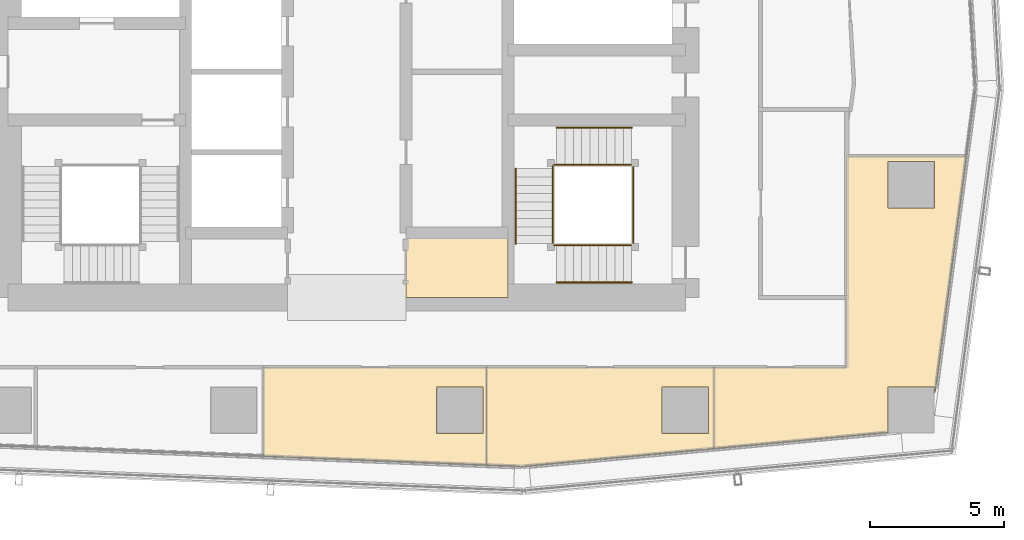
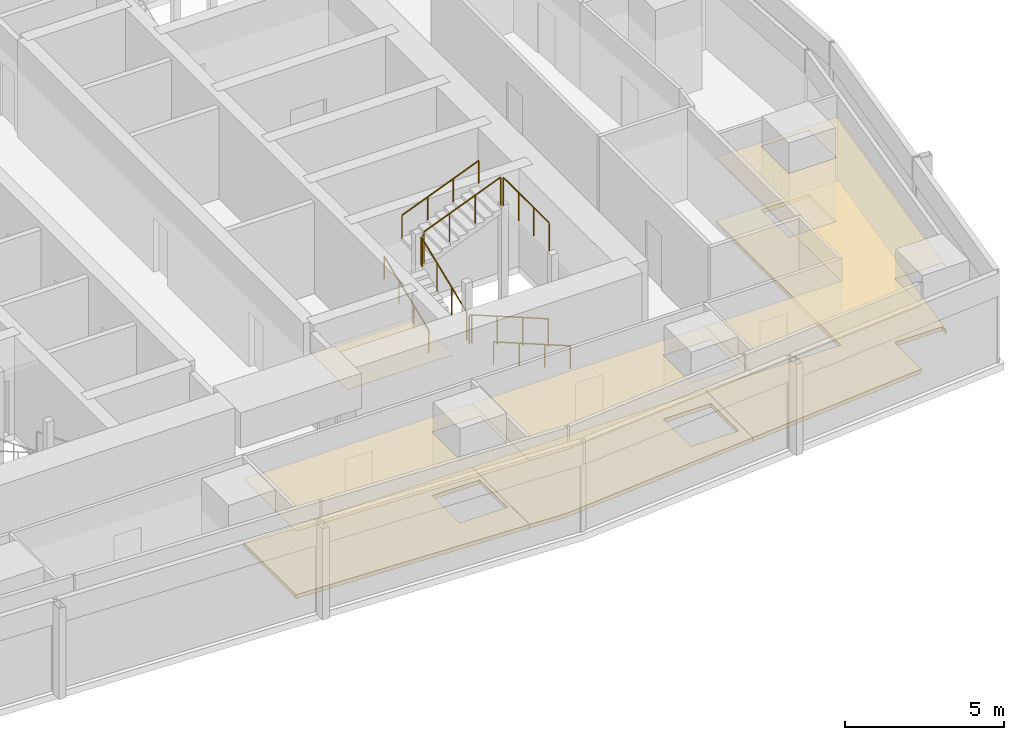
# One storey, part 36 of 39: 10 railings, 7 coverings.
"""IFC4 building model written with IfcOpenShell, lengths in metres."""

import ifcopenshell
import ifcopenshell.guid

model = None  # the IFC model being written
_history = None  # IfcOwnerHistory: only IFC2X3 demands one
_inside = {}  # id of a spatial element -> (the spatial element, [elements in it])
_under = {}  # id of a project, library or spatial element -> (it, [spatial elements below it])
_declared = {}  # id of a project -> (the project, [libraries it declares])
_typed = {}  # id of a type object -> (the type object, [elements of that type])
_made_of = {}  # id of a material, layer set ... -> (it, [elements and type objects made of it])


def new_model(schema):
    """Start an empty IFC model of exactly this schema.

    Asked for "IFC4X3", IfcOpenShell would pick the latest addendum, in which some entities
    have other attributes; the version numbers below select the first issue.
    IFC2X3 requires an IfcOwnerHistory on every rooted entity: one is made here for all.
    """
    global model, _history
    if schema == "IFC4X3":
        model = ifcopenshell.file(schema_version=(4, 3, 0, 0))
    else:
        model = ifcopenshell.file(schema=schema)
    _inside.clear()
    _under.clear()
    _declared.clear()
    _typed.clear()
    _made_of.clear()
    _history = None
    if model.schema == "IFC2X3":
        org = make("IfcOrganization", Name="unknown")
        user = make(
            "IfcPersonAndOrganization",
            ThePerson=make("IfcPerson", FamilyName="unknown"),
            TheOrganization=org,
        )
        app = make(
            "IfcApplication",
            ApplicationDeveloper=org,
            Version="unknown",
            ApplicationFullName="unknown",
            ApplicationIdentifier="unknown",
        )
        _history = make(
            "IfcOwnerHistory",
            OwningUser=user,
            OwningApplication=app,
            ChangeAction="ADDED",
            CreationDate=0,
        )
    return model


def make(cls, **values):
    """One entity of the class cls with the attributes given. An attribute that is None is left unset."""
    return model.create_entity(
        cls, **{name: value for name, value in values.items() if value is not None}
    )


def rooted(cls, **values):
    """An entity with a GlobalId (a new one), such as an element, a storey or a relation."""
    return make(cls, GlobalId=ifcopenshell.guid.new(), OwnerHistory=_history, **values)


def si_unit(unit_type, name, prefix=None):
    """IfcSIUnit, for example si_unit("LENGTHUNIT", "METRE", prefix="MILLI")."""
    return make("IfcSIUnit", UnitType=unit_type, Prefix=prefix, Name=name)


def assignment(units):
    """IfcUnitAssignment: the units of a project."""
    return None if units is None else make("IfcUnitAssignment", Units=units)


def point(xyz):
    """IfcCartesianPoint."""
    return None if xyz is None else make("IfcCartesianPoint", Coordinates=xyz)


def direction(xyz):
    """IfcDirection."""
    return None if xyz is None else make("IfcDirection", DirectionRatios=xyz)


def frame(location, z_axis=None, x_axis=None):
    """IfcAxis2Placement3D, a coordinate frame: its origin and axes. An axis left out is left unset."""
    return make(
        "IfcAxis2Placement3D",
        Location=point(location),
        Axis=direction(z_axis),
        RefDirection=direction(x_axis),
    )


def frame_2d(location, x_axis=None):
    """IfcAxis2Placement2D, a coordinate frame in the plane: its origin and x axis."""
    return make(
        "IfcAxis2Placement2D", Location=point(location), RefDirection=direction(x_axis)
    )


def origin():
    """The frame at (0, 0, 0) with its axes left unset."""
    return frame((0.0, 0.0, 0.0))


def origin_2d():
    """The frame at (0, 0) in the plane with its x axis left unset."""
    return frame_2d((0.0, 0.0))


def place(relative_to, where):
    """IfcLocalPlacement: puts the frame where relative to a parent placement (None: the world)."""
    return make(
        "IfcLocalPlacement", PlacementRelTo=relative_to, RelativePlacement=where
    )


def context(
    kind, dimensions, precision=None, world=None, true_north=None, identifier=None
):
    """IfcGeometricRepresentationContext, for example the 3D "Model" context."""
    return make(
        "IfcGeometricRepresentationContext",
        ContextIdentifier=identifier,
        ContextType=kind,
        CoordinateSpaceDimension=dimensions,
        Precision=precision,
        WorldCoordinateSystem=world,
        TrueNorth=true_north,
    )


def subcontext(parent, identifier, kind, view, scale=None):
    """IfcGeometricRepresentationSubContext, for example "Body" below "Model"."""
    return make(
        "IfcGeometricRepresentationSubContext",
        ContextIdentifier=identifier,
        ContextType=kind,
        ParentContext=parent,
        TargetScale=scale,
        TargetView=view,
    )


def project(units=None, contexts=None):
    """IfcProject with its units and contexts."""
    return rooted(
        "IfcProject",
        Name="project",
        RepresentationContexts=contexts,
        UnitsInContext=assignment(units),
    )


def spatial(cls, under=None, at=None, **own):
    """A site, building, storey or space (cls), placed at a placement, below another one or the project."""
    s = rooted(cls, ObjectPlacement=at, **own)
    if under is not None:
        _under.setdefault(under.id(), (under, []))[1].append(s)
    return s


def polyline(points):
    """IfcPolyline through the points."""
    return make("IfcPolyline", Points=[point(p) for p in points])


def profile(cls, at=None, kind="AREA", **sizes):
    """A parametric profile (cls). Its sizes go by their IFC names, for example OverallWidth=200.0."""
    return make(cls, ProfileType=kind, Position=at, **sizes)


def circle(**sizes):
    """IfcCircleProfileDef."""
    return profile("IfcCircleProfileDef", **sizes)


def outline(outer, holes=None, kind="AREA"):
    """IfcArbitraryClosedProfileDef: a profile drawn as a closed curve; with holes, ...WithVoids."""
    if holes is None:
        return make("IfcArbitraryClosedProfileDef", ProfileType=kind, OuterCurve=outer)
    return make(
        "IfcArbitraryProfileDefWithVoids",
        ProfileType=kind,
        OuterCurve=outer,
        InnerCurves=holes,
    )


def extrude(swept, where, along, depth):
    """IfcExtrudedAreaSolid: the profile swept, set in the frame where, extruded along a direction by depth."""
    return make(
        "IfcExtrudedAreaSolid",
        SweptArea=swept,
        Position=where,
        ExtrudedDirection=direction(along),
        Depth=depth,
    )


def shape(context_of_items, identifier, shape_type, items):
    """IfcShapeRepresentation: the items that make up one representation, for example the "Body"."""
    return make(
        "IfcShapeRepresentation",
        ContextOfItems=context_of_items,
        RepresentationIdentifier=identifier,
        RepresentationType=shape_type,
        Items=items,
    )


def material(Name=None, Category=None):
    """IfcMaterial."""
    return make("IfcMaterial", Name=Name, Category=Category)


def layer(
    of_material, thickness, ventilated=None, Name=None, Category=None, Priority=None
):
    """IfcMaterialLayer: one layer of a wall or slab, of a material (None: an air gap)."""
    return make(
        "IfcMaterialLayer",
        Material=of_material,
        LayerThickness=thickness,
        IsVentilated=ventilated,
        Name=Name,
        Category=Category,
        Priority=Priority,
    )


def layer_set(layers, Name=None):
    """IfcMaterialLayerSet."""
    return make("IfcMaterialLayerSet", MaterialLayers=layers, LayerSetName=Name)


def made_of(thing, what):
    """Note that an element or type object is made of a material, layer set ...; save() writes the relation."""
    if what is not None:
        _made_of.setdefault(what.id(), (what, []))[1].append(thing)
    return thing


def type_object(cls, material=None, **own):
    """A type object (cls), such as IfcWallType, which elements share."""
    return made_of(rooted(cls, **own), material)


def element(
    cls,
    number,
    at=None,
    inside=None,
    cuts=None,
    type_object=None,
    material=None,
    context=None,
    identifier="Body",
    shape_type=None,
    held_by="IfcProductDefinitionShape",
    body=None,
    shapes=None,
    **own,
):
    """One element of the class cls, such as IfcWall. Its Tag is "e" and its number.

    at: its placement. inside: the storey or other place that contains it. cuts: it is an
    opening in that element (IfcRelVoidsElement). A single representation is given by context,
    identifier, shape_type and body (its items); several are given by shapes. held_by: the class
    of the entity that holds the representations. save() writes the other relations.
    """
    e = rooted(cls, Tag="e%d" % number, ObjectPlacement=at, **own)
    if body is not None:
        shapes = [shape(context, identifier, shape_type, body)]
    if shapes is not None:
        e.Representation = make(held_by, Representations=shapes)
    if inside is not None:
        _inside.setdefault(inside.id(), (inside, []))[1].append(e)
    if cuts is not None:
        rooted(
            "IfcRelVoidsElement", RelatingBuildingElement=cuts, RelatedOpeningElement=e
        )
    if type_object is not None:
        _typed.setdefault(type_object.id(), (type_object, []))[1].append(e)
    return made_of(e, material)


def aggregate(whole, parts):
    """IfcRelAggregates: a whole, such as a stair, and the parts it consists of."""
    return rooted("IfcRelAggregates", RelatingObject=whole, RelatedObjects=parts)


def save(model, path):
    """Write the relations noted so far, then the file.

    IfcRelAggregates (storeys below a building ...), IfcRelContainedInSpatialStructure (elements
    in a storey), IfcRelDefinesByType, IfcRelAssociatesMaterial and IfcRelDeclares: one each for
    every whole, place, type object, material and project.
    """
    for whole, parts in _under.values():
        aggregate(whole, parts)
    for where, things in _inside.values():
        rooted(
            "IfcRelContainedInSpatialStructure",
            RelatedElements=things,
            RelatingStructure=where,
        )
    for kind, things in _typed.values():
        rooted("IfcRelDefinesByType", RelatedObjects=things, RelatingType=kind)
    for what, things in _made_of.values():
        rooted("IfcRelAssociatesMaterial", RelatedObjects=things, RelatingMaterial=what)
    for by, libraries in _declared.values():
        rooted("IfcRelDeclares", RelatingContext=by, RelatedDefinitions=libraries)
    model.write(path)


model = new_model("IFC4")

# Units and contexts
model_context = context("Model", 3, precision=1e-05, world=origin(), true_north=direction((0.0, 1.0)))
body_context = subcontext(model_context, "Body", "Model", "MODEL_VIEW")
ifc_project = project(units=[si_unit("LENGTHUNIT", "METRE"), si_unit("AREAUNIT", "SQUARE_METRE"), si_unit("VOLUMEUNIT", "CUBIC_METRE"), si_unit("PLANEANGLEUNIT", "RADIAN"), si_unit("MASSUNIT", "GRAM", prefix="KILO")], contexts=[model_context])

# Site, building, storey
site_placement = place(None, origin())
site = spatial("IfcSite", under=ifc_project, at=site_placement, CompositionType="ELEMENT")
building_placement = place(site_placement, origin())
building = spatial("IfcBuilding", under=site, at=building_placement, Name="Rekha Terrace Tower", CompositionType="ELEMENT")
storey_placement = place(building_placement, frame((0.0, 0.0, 180.199951171875)))
storey = spatial("IfcBuildingStorey", under=building, at=storey_placement, Name="L45", CompositionType="ELEMENT", Elevation=180.199951171875)

# Coverings
ifc_material_1 = material(Name="Mineral fibre tile in exposed grid", Category="finish")
ifc_layer_1 = layer(ifc_material_1, 0.02001953125)
ifc_layer_set_1 = layer_set([ifc_layer_1], Name="Mineral fibre tile in exposed grid")
covering_type_1 = type_object("IfcCoveringType", Name="CL1 600x1200 office grid ceiling", PredefinedType="CEILING", material=ifc_layer_set_1)
covering_1_placement = place(storey_placement, frame((0.0, 0.0, 2.580078125)))
element("IfcCovering", 1, at=covering_1_placement, inside=storey, type_object=covering_type_1, Name="Ceiling L45-02", PredefinedType="CEILING", context=body_context, shape_type="SweptSolid", body=[
    extrude(outline(polyline([(42.9970703125, 14.763916015625), (42.9970703125, 18.39990234375), (34.7060546875, 18.39990234375), (34.7060546875, 15.094970703125), (42.9970703125, 14.763916015625)]), holes=[polyline([(42.864990234375, 17.6650390625), (42.864990234375, 15.93505859375), (41.135009765625, 15.93505859375), (41.135009765625, 17.6650390625), (42.864990234375, 17.6650390625)])]), origin(), (0.0, 0.0, 1.0), 0.02001953125),
])
covering_2_placement = place(storey_placement, frame((0.0, 0.0, 2.580078125)))
element("IfcCovering", 2, at=covering_2_placement, inside=storey, type_object=covering_type_1, Name="Ceiling L45-03", PredefinedType="CEILING", context=body_context, shape_type="SweptSolid", body=[
    extrude(outline(polyline([(51.464111328125, 18.39990234375), (42.998046875, 18.39990234375), (42.998046875, 14.763916015625), (44.31201171875, 14.7119140625), (51.464111328125, 15.3779296875), (51.464111328125, 18.39990234375)]), holes=[polyline([(51.264892578125, 15.93505859375), (49.534912109375, 15.93505859375), (49.534912109375, 17.6650390625), (51.264892578125, 17.6650390625), (51.264892578125, 15.93505859375)])]), origin(), (0.0, 0.0, 1.0), 0.02001953125),
])
covering_3_placement = place(storey_placement, frame((0.0, 0.0, 2.580078125)))
element("IfcCovering", 3, at=covering_3_placement, inside=storey, type_object=covering_type_1, Name="Ceiling L45-04", PredefinedType="CEILING", context=body_context, shape_type="SweptSolid", body=[
    extrude(outline(polyline([(56.39990234375, 26.2548828125), (56.39990234375, 18.39990234375), (51.465087890625, 18.39990234375), (51.465087890625, 15.3779296875), (57.93505859375, 15.97998046875), (57.93505859375, 17.6650390625), (59.6650390625, 17.6650390625), (59.6650390625, 17.449951171875), (59.68505859375, 17.448974609375), (60.85205078125, 26.2548828125), (56.39990234375, 26.2548828125)]), holes=[polyline([(59.6650390625, 24.3349609375), (57.93505859375, 24.3349609375), (57.93505859375, 26.06494140625), (59.6650390625, 26.06494140625), (59.6650390625, 24.3349609375)])]), origin(), (0.0, 0.0, 1.0), 0.02001953125),
])
ifc_material_2 = material(Name="Fibre cement board", Category="finish")
ifc_layer_2 = layer(ifc_material_2, 0.014892578125)
ifc_layer_set_2 = layer_set([ifc_layer_2], Name="Fibre cement board")
covering_type_2 = type_object("IfcCoveringType", Name="CL2 moisture-resistant board ceiling", PredefinedType="CEILING", material=ifc_layer_set_2)
covering_4_placement = place(storey_placement, frame((0.0, 0.0, 2.5849609375)))
element("IfcCovering", 4, at=covering_4_placement, inside=storey, type_object=covering_type_2, Name="Ceiling L45-WCA", PredefinedType="CEILING", context=body_context, shape_type="SweptSolid", body=[
    extrude(outline(polyline([(43.800048828125, 23.39990234375), (40.0, 23.39990234375), (40.0, 21.0), (43.800048828125, 21.0), (43.800048828125, 23.39990234375)])), origin(), (0.0, 0.0, 1.0), 0.01513671875),
])

# Railings
ifc_material_3 = material(Name="Stainless steel balustrade", Category="steel")
railing_type_1 = type_object("IfcRailingType", Name="GR1 1100 stair guard", PredefinedType="GUARDRAIL", material=ifc_material_3)
railing_1_placement = place(storey_placement, frame((48.39990234375, 22.93994140625, 0.125)))
element("IfcRailing", 5, at=railing_1_placement, inside=storey, type_object=railing_type_1, Name="Guard ST3 L45 flight 1", PredefinedType="GUARDRAIL", context=body_context, shape_type="SweptSolid", body=[
    extrude(circle(Radius=0.02392578125, at=origin_2d()), frame((0.0, 0.0, 1.076171875), z_axis=(-0.927431937212, 0.0, 0.373991980981), x_axis=(0.0, -1.0, 0.0)), (0.0, 0.0, 1.0), 3.008056640625),
    extrude(circle(Radius=0.02099609375, at=origin_2d()), origin(), (0.0, 0.0, 1.0), 1.052001953125),
    extrude(circle(Radius=0.02099609375, at=origin_2d()), frame((-0.929931640625, 0.0, 0.375)), (0.0, 0.0, 1.0), 1.052001953125),
    extrude(circle(Radius=0.02099609375, at=origin_2d()), frame((-1.85986328125, 0.0, 0.75)), (0.0, 0.0, 1.0), 1.052001953125),
    extrude(circle(Radius=0.02099609375, at=origin_2d()), frame((-2.789794921875, 0.0, 1.125)), (0.0, 0.0, 1.0), 1.052001953125),
])
railing_2_placement = place(storey_placement, frame((45.465087890625, 23.0, 1.375)))
element("IfcRailing", 6, at=railing_2_placement, inside=storey, type_object=railing_type_1, Name="Guard ST3 L45 flight 2", PredefinedType="GUARDRAIL", context=body_context, shape_type="SweptSolid", body=[
    extrude(circle(Radius=0.02392578125, at=origin_2d()), frame((0.0, 0.0, 1.076171875), z_axis=(0.0, 0.927443287984, 0.373963831907), x_axis=(-1.0, 0.0, 0.0)), (0.0, 0.0, 1.0), 3.00830078125),
    extrude(circle(Radius=0.02099609375, at=origin_2d()), origin(), (0.0, 0.0, 1.0), 1.052001953125),
    extrude(circle(Radius=0.02099609375, at=origin_2d()), frame((0.0, 0.929931640625, 0.375)), (0.0, 0.0, 1.0), 1.052001953125),
    extrude(circle(Radius=0.02099609375, at=origin_2d()), frame((0.0, 1.860107421875, 0.75)), (0.0, 0.0, 1.0), 1.052001953125),
    extrude(circle(Radius=0.02099609375, at=origin_2d()), frame((0.0, 2.7900390625, 1.125)), (0.0, 0.0, 1.0), 1.052001953125),
])
railing_3_placement = place(storey_placement, frame((45.610107421875, 25.93505859375, 2.625)))
element("IfcRailing", 7, at=railing_3_placement, inside=storey, type_object=railing_type_1, Name="Guard ST3 L45 flight 3", PredefinedType="GUARDRAIL", context=body_context, shape_type="SweptSolid", body=[
    extrude(circle(Radius=0.02392578125, at=origin_2d()), frame((0.0, 0.0, 1.076171875), z_axis=(0.927431937212, 0.0, 0.373991980981), x_axis=(0.0, 1.0, 0.0)), (0.0, 0.0, 1.0), 3.008056640625),
    extrude(circle(Radius=0.02099609375, at=origin_2d()), origin(), (0.0, 0.0, 1.0), 1.052001953125),
    extrude(circle(Radius=0.02099609375, at=origin_2d()), frame((0.929931640625, 0.0, 0.375)), (0.0, 0.0, 1.0), 1.052001953125),
    extrude(circle(Radius=0.02099609375, at=origin_2d()), frame((1.85986328125, 0.0, 0.75)), (0.0, 0.0, 1.0), 1.052001953125),
    extrude(circle(Radius=0.02099609375, at=origin_2d()), frame((2.789794921875, 0.0, 1.125)), (0.0, 0.0, 1.0), 1.052001953125),
])
railing_4_placement = place(storey_placement, frame((45.610107421875, 22.93994140625, 1.25)))
element("IfcRailing", 8, at=railing_4_placement, inside=storey, type_object=railing_type_1, Name="Guard ST3 L45 landing 1", PredefinedType="GUARDRAIL", context=body_context, shape_type="SweptSolid", body=[
    extrude(circle(Radius=0.02392578125, at=origin_2d()), frame((0.0, 0.0, 1.076171875), z_axis=(-1.0, 0.0, 0.0), x_axis=(0.0, -1.0, 0.0)), (0.0, 0.0, 1.0), 0.085205078125),
    extrude(circle(Radius=0.02099609375, at=origin_2d()), origin(), (0.0, 0.0, 1.0), 1.052001953125),
    extrude(circle(Radius=0.02099609375, at=origin_2d()), frame((-0.085205078125, 0.0, 0.0)), (0.0, 0.0, 1.0), 1.052001953125),
])
railing_5_placement = place(storey_placement, frame((45.465087890625, 25.7900390625, 2.5)))
element("IfcRailing", 9, at=railing_5_placement, inside=storey, type_object=railing_type_1, Name="Guard ST3 L45 landing 2", PredefinedType="GUARDRAIL", context=body_context, shape_type="SweptSolid", body=[
    extrude(circle(Radius=0.02392578125, at=origin_2d()), frame((0.0, 0.0, 1.076171875), z_axis=(0.0, 1.0, 0.0), x_axis=(-1.0, 0.0, 0.0)), (0.0, 0.0, 1.0), 0.0849609375),
    extrude(circle(Radius=0.02099609375, at=origin_2d()), origin(), (0.0, 0.0, 1.0), 1.052001953125),
    extrude(circle(Radius=0.02099609375, at=origin_2d()), frame((0.0, 0.0849609375, 0.0)), (0.0, 0.0, 1.0), 1.052001953125),
])
railing_6_placement = place(storey_placement, frame((45.610107421875, 25.93505859375, 2.5)))
element("IfcRailing", 10, at=railing_6_placement, inside=storey, type_object=railing_type_1, Name="Guard ST3 L45 landing 3", PredefinedType="GUARDRAIL", context=body_context, shape_type="SweptSolid", body=[
    extrude(circle(Radius=0.02392578125, at=origin_2d()), frame((0.0, 0.0, 1.076171875), z_axis=(-1.0, 0.0, 0.0), x_axis=(0.0, -1.0, 0.0)), (0.0, 0.0, 1.0), 0.085205078125),
    extrude(circle(Radius=0.02099609375, at=origin_2d()), origin(), (0.0, 0.0, 1.0), 1.052001953125),
    extrude(circle(Radius=0.02099609375, at=origin_2d()), frame((-0.085205078125, 0.0, 0.0)), (0.0, 0.0, 1.0), 1.052001953125),
])
railing_7_placement = place(storey_placement, frame((48.4599609375, 23.0, 3.75)))
element("IfcRailing", 11, at=railing_7_placement, inside=storey, type_object=railing_type_1, Name="Guard ST3 L45 landing 4", PredefinedType="GUARDRAIL", context=body_context, shape_type="SweptSolid", body=[
    extrude(circle(Radius=0.02392578125, at=origin_2d()), frame((0.0, 0.0, 1.076171875), z_axis=(0.0, 1.0, 0.0), x_axis=(-1.0, 0.0, 0.0)), (0.0, 0.0, 1.0), 2.875),
    extrude(circle(Radius=0.02099609375, at=origin_2d()), origin(), (0.0, 0.0, 1.0), 1.052001953125),
    extrude(circle(Radius=0.02099609375, at=origin_2d()), frame((0.0, 0.958251953125, 0.0)), (0.0, 0.0, 1.0), 1.052001953125),
    extrude(circle(Radius=0.02099609375, at=origin_2d()), frame((0.0, 1.916748046875, 0.0)), (0.0, 0.0, 1.0), 1.052001953125),
    extrude(circle(Radius=0.02099609375, at=origin_2d()), frame((0.0, 2.875, 0.0)), (0.0, 0.0, 1.0), 1.052001953125),
])
ifc_material_4 = material(Name="Stainless steel tube", Category="steel")
railing_type_2 = type_object("IfcRailingType", Name="HR1 900 stair handrail", PredefinedType="HANDRAIL", material=ifc_material_4)
railing_8_placement = place(storey_placement, frame((48.39990234375, 21.56005859375, 0.125)))
element("IfcRailing", 12, at=railing_8_placement, inside=storey, type_object=railing_type_2, Name="Handrail ST3 L45 flight 1", PredefinedType="HANDRAIL", context=body_context, shape_type="SweptSolid", body=[
    extrude(circle(Radius=0.02392578125, at=origin_2d()), frame((0.0, 0.0, 0.8759765625), z_axis=(-0.927431937212, 0.0, 0.373991980981), x_axis=(0.0, -1.0, 0.0)), (0.0, 0.0, 1.0), 3.008056640625),
    extrude(circle(Radius=0.02099609375, at=origin_2d()), origin(), (0.0, 0.0, 1.0), 0.851806640625),
    extrude(circle(Radius=0.02099609375, at=origin_2d()), frame((-0.929931640625, 0.0, 0.375)), (0.0, 0.0, 1.0), 0.851806640625),
    extrude(circle(Radius=0.02099609375, at=origin_2d()), frame((-1.85986328125, 0.0, 0.75)), (0.0, 0.0, 1.0), 0.851806640625),
    extrude(circle(Radius=0.02099609375, at=origin_2d()), frame((-2.789794921875, 0.0, 1.125)), (0.0, 0.0, 1.0), 0.851806640625),
])
railing_9_placement = place(storey_placement, frame((44.0849609375, 23.0, 1.375)))
element("IfcRailing", 13, at=railing_9_placement, inside=storey, type_object=railing_type_2, Name="Handrail ST3 L45 flight 2", PredefinedType="HANDRAIL", context=body_context, shape_type="SweptSolid", body=[
    extrude(circle(Radius=0.02392578125, at=origin_2d()), frame((0.0, 0.0, 0.8759765625), z_axis=(0.0, 0.927443287984, 0.373963831907), x_axis=(-1.0, 0.0, 0.0)), (0.0, 0.0, 1.0), 3.00830078125),
    extrude(circle(Radius=0.02099609375, at=origin_2d()), origin(), (0.0, 0.0, 1.0), 0.851806640625),
    extrude(circle(Radius=0.02099609375, at=origin_2d()), frame((0.0, 0.929931640625, 0.375)), (0.0, 0.0, 1.0), 0.851806640625),
    extrude(circle(Radius=0.02099609375, at=origin_2d()), frame((0.0, 1.860107421875, 0.75)), (0.0, 0.0, 1.0), 0.851806640625),
    extrude(circle(Radius=0.02099609375, at=origin_2d()), frame((0.0, 2.7900390625, 1.125)), (0.0, 0.0, 1.0), 0.851806640625),
])
railing_10_placement = place(storey_placement, frame((45.610107421875, 27.31494140625, 2.625)))
element("IfcRailing", 14, at=railing_10_placement, inside=storey, type_object=railing_type_2, Name="Handrail ST3 L45 flight 3", PredefinedType="HANDRAIL", context=body_context, shape_type="SweptSolid", body=[
    extrude(circle(Radius=0.02392578125, at=origin_2d()), frame((0.0, 0.0, 0.8759765625), z_axis=(0.927431937212, 0.0, 0.373991980981), x_axis=(0.0, 1.0, 0.0)), (0.0, 0.0, 1.0), 3.008056640625),
    extrude(circle(Radius=0.02099609375, at=origin_2d()), origin(), (0.0, 0.0, 1.0), 0.851806640625),
    extrude(circle(Radius=0.02099609375, at=origin_2d()), frame((0.929931640625, 0.0, 0.375)), (0.0, 0.0, 1.0), 0.851806640625),
    extrude(circle(Radius=0.02099609375, at=origin_2d()), frame((1.85986328125, 0.0, 0.75)), (0.0, 0.0, 1.0), 0.851806640625),
    extrude(circle(Radius=0.02099609375, at=origin_2d()), frame((2.789794921875, 0.0, 1.125)), (0.0, 0.0, 1.0), 0.851806640625),
])

# Coverings
ifc_material_5 = material(Name="Calcium sulphate panels on steel pedestals", Category="steel")
ifc_layer_3 = layer(ifc_material_5, 0.14990234375)
ifc_layer_set_3 = layer_set([ifc_layer_3], Name="Calcium sulphate panels on steel pedestals")
covering_type_3 = type_object("IfcCoveringType", Name="RF1 150 raised access floor", PredefinedType="FLOORING", material=ifc_layer_set_3)
covering_5_placement = place(storey_placement, origin())
element("IfcCovering", 15, at=covering_5_placement, inside=storey, type_object=covering_type_3, Name="Raised floor L45-02", PredefinedType="FLOORING", context=body_context, shape_type="SweptSolid", body=[
    extrude(outline(polyline([(42.9970703125, 14.763916015625), (42.9970703125, 18.39990234375), (34.7060546875, 18.39990234375), (34.7060546875, 15.094970703125), (42.9970703125, 14.763916015625)]), holes=[polyline([(42.864990234375, 17.6650390625), (42.864990234375, 15.93505859375), (41.135009765625, 15.93505859375), (41.135009765625, 17.6650390625), (42.864990234375, 17.6650390625)])]), origin(), (0.0, 0.0, 1.0), 0.150146484375),
])
covering_6_placement = place(storey_placement, origin())
element("IfcCovering", 16, at=covering_6_placement, inside=storey, type_object=covering_type_3, Name="Raised floor L45-03", PredefinedType="FLOORING", context=body_context, shape_type="SweptSolid", body=[
    extrude(outline(polyline([(51.464111328125, 18.39990234375), (42.998046875, 18.39990234375), (42.998046875, 14.763916015625), (44.31201171875, 14.7119140625), (51.464111328125, 15.3779296875), (51.464111328125, 18.39990234375)]), holes=[polyline([(51.264892578125, 15.93505859375), (49.534912109375, 15.93505859375), (49.534912109375, 17.6650390625), (51.264892578125, 17.6650390625), (51.264892578125, 15.93505859375)])]), origin(), (0.0, 0.0, 1.0), 0.150146484375),
])
covering_7_placement = place(storey_placement, origin())
element("IfcCovering", 17, at=covering_7_placement, inside=storey, type_object=covering_type_3, Name="Raised floor L45-04", PredefinedType="FLOORING", context=body_context, shape_type="SweptSolid", body=[
    extrude(outline(polyline([(56.39990234375, 26.2548828125), (56.39990234375, 18.39990234375), (51.465087890625, 18.39990234375), (51.465087890625, 15.3779296875), (57.93505859375, 15.97998046875), (57.93505859375, 17.6650390625), (59.6650390625, 17.6650390625), (59.6650390625, 17.449951171875), (59.68505859375, 17.448974609375), (60.85205078125, 26.2548828125), (56.39990234375, 26.2548828125)]), holes=[polyline([(59.6650390625, 24.3349609375), (57.93505859375, 24.3349609375), (57.93505859375, 26.06494140625), (59.6650390625, 26.06494140625), (59.6650390625, 24.3349609375)])]), origin(), (0.0, 0.0, 1.0), 0.150146484375),
])

save(model, "model.ifc")
